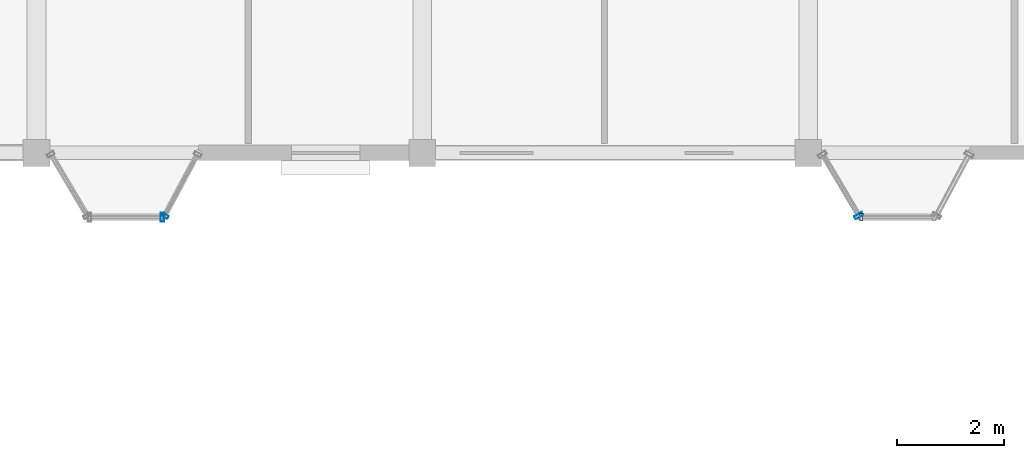
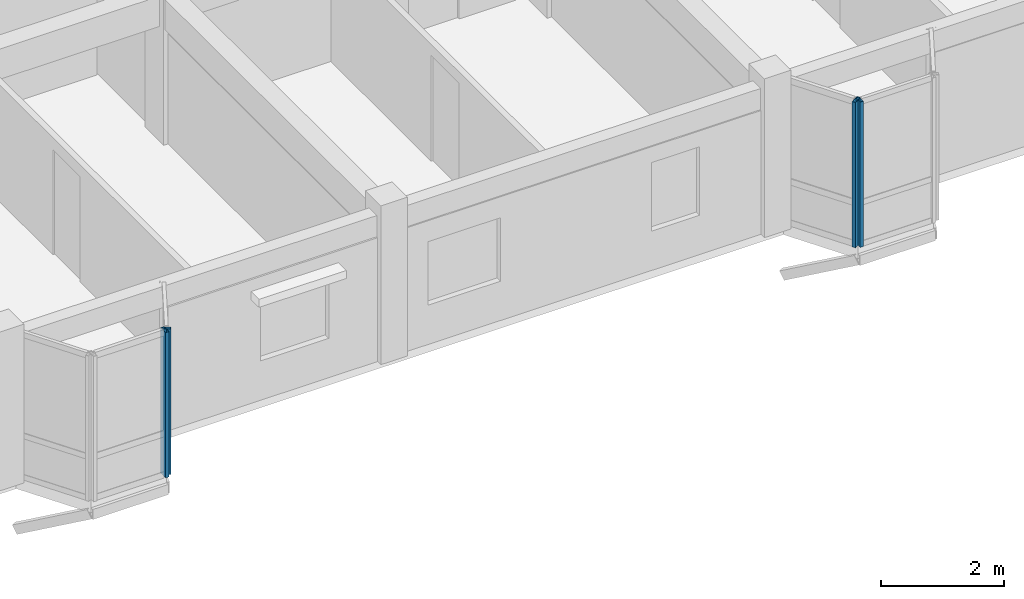
# One storey, part 33 of 70: 4 members, 4 elements without a shape of their own.
"""IFC4 building model written with IfcOpenShell, lengths in metres."""

from ifc_helpers import new_model, si_unit, direction, frame, origin, origin_2d, place, context, subcontext, project, spatial, hollow_rectangle, extrude, material, layer, layer_set, material_profile, profile_set, type_object, element, aggregate, save


model = new_model("IFC4")

# Units and contexts
model_context = context("Model", 3, precision=1e-05, world=origin(), true_north=direction((0.0, 1.0)))
body_context = subcontext(model_context, "Body", "Model", "MODEL_VIEW")
ifc_project = project(units=[si_unit("LENGTHUNIT", "METRE"), si_unit("AREAUNIT", "SQUARE_METRE"), si_unit("VOLUMEUNIT", "CUBIC_METRE"), si_unit("PLANEANGLEUNIT", "RADIAN"), si_unit("MASSUNIT", "GRAM", prefix="KILO"), si_unit("THERMODYNAMICTEMPERATUREUNIT", "KELVIN"), si_unit("POWERUNIT", "WATT")], contexts=[model_context])

# Site, building, storey
site_placement = place(None, origin())
site = spatial("IfcSite", under=ifc_project, at=site_placement, CompositionType="ELEMENT")
building_placement = place(site_placement, origin())
building = spatial("IfcBuilding", under=site, at=building_placement, Name="Tavuni Mirador Residences", CompositionType="ELEMENT")
storey_placement = place(building_placement, frame((0.0, 0.0, 23.39990234375)))
storey = spatial("IfcBuildingStorey", under=building, at=storey_placement, Name="L07", CompositionType="ELEMENT", Elevation=23.39990234375)

# Curtain wall, member
ifc_material = material(Name="Anodised aluminium", Category="aluminium")
ifc_layer_1 = layer(ifc_material, 0.1650390625, Name="Anodised aluminium", Category="aluminium")
ifc_layer_set_1 = layer_set([ifc_layer_1], Name="Anodised aluminium")
curtain_wall_type_1 = type_object("IfcCurtainWallType", Name="CWT-MIR-A", PredefinedType="NOTDEFINED", material=ifc_layer_set_1)
curtain_wall_1_placement = place(storey_placement, origin())
curtain_wall_1 = element("IfcCurtainWall", 1, at=curtain_wall_1_placement, inside=storey, type_object=curtain_wall_type_1, Name="CW-MIR-C-S2-L07-M2", PredefinedType="NOTDEFINED")
ifc_material_profile_1 = material_profile(ifc_material, hollow_rectangle(XDim=0.06005859375, YDim=0.139892578125, WallThickness=0.00390625, at=origin_2d()), Name="ALU 60x140x4.0", Category="aluminium")
ifc_profile_set_1 = profile_set([ifc_material_profile_1], Name="Anodised aluminium")
member_type_1 = type_object("IfcMemberType", Name="CWM-140", PredefinedType="MULLION", material=ifc_profile_set_1)
member_1_placement = place(storey_placement, frame((34.794189453125, 142.826416015625, 0.0), z_axis=(0.0, 0.0, 1.0), x_axis=(0.470588235296, 0.882352941175, 0.0)))
member_1 = element("IfcMember", 2, at=member_1_placement, type_object=member_type_1, Name="CW-01 mullion 1", PredefinedType="MULLION", context=body_context, shape_type="SweptSolid", body=[
    extrude(hollow_rectangle(XDim=0.06005859375, YDim=0.139892578125, WallThickness=0.00390625, at=origin_2d()), origin(), (0.0, 0.0, 1.0), 2.885009765625),
])
aggregate(curtain_wall_1, [member_1])

ifc_layer_2 = layer(ifc_material, 0.175048828125, Name="Anodised aluminium", Category="aluminium")
ifc_layer_set_2 = layer_set([ifc_layer_2], Name="Anodised aluminium")
curtain_wall_type_2 = type_object("IfcCurtainWallType", Name="CWT-MIR-C", PredefinedType="NOTDEFINED", material=ifc_layer_set_2)
curtain_wall_2_placement = place(storey_placement, origin())
curtain_wall_2 = element("IfcCurtainWall", 3, at=curtain_wall_2_placement, inside=storey, type_object=curtain_wall_type_2, Name="CW-MIR-C-S3-L07-MF", PredefinedType="NOTDEFINED")
member_2_placement = place(storey_placement, frame((47.7900390625, 142.800048828125, 0.0), z_axis=(0.0, 0.0, 1.0), x_axis=(1.0, 0.0, 0.0)))
member_2 = element("IfcMember", 4, at=member_2_placement, type_object=member_type_1, Name="CW-03 mullion 1", PredefinedType="MULLION", context=body_context, shape_type="SweptSolid", body=[
    extrude(hollow_rectangle(XDim=0.06005859375, YDim=0.139892578125, WallThickness=0.00390625, at=origin_2d()), origin(), (0.0, 0.0, 1.0), 2.885009765625),
])
aggregate(curtain_wall_2, [member_2])

ifc_layer_3 = layer(ifc_material, 0.159912109375, Name="Anodised aluminium", Category="aluminium")
ifc_layer_set_3 = layer_set([ifc_layer_3], Name="Anodised aluminium")
curtain_wall_type_3 = type_object("IfcCurtainWallType", Name="CWT-MIR-D", PredefinedType="NOTDEFINED", material=ifc_layer_set_3)
curtain_wall_3_placement = place(storey_placement, origin())
curtain_wall_3 = element("IfcCurtainWall", 5, at=curtain_wall_3_placement, inside=storey, type_object=curtain_wall_type_3, Name="CW-MIR-C-S2-L07-MF", PredefinedType="NOTDEFINED")
ifc_material_profile_2 = material_profile(ifc_material, hollow_rectangle(XDim=0.06494140625, YDim=0.1650390625, WallThickness=0.00439453125, at=origin_2d()), Name="ALU 65x165x4.5", Category="aluminium")
ifc_profile_set_2 = profile_set([ifc_material_profile_2], Name="Anodised aluminium")
member_type_2 = type_object("IfcMemberType", Name="CWM-165", PredefinedType="MULLION", material=ifc_profile_set_2)
member_3_placement = place(storey_placement, frame((34.74755859375, 142.800048828125, 0.0), z_axis=(0.0, 0.0, 1.0), x_axis=(1.0, 0.0, 0.0)))
member_3 = element("IfcMember", 6, at=member_3_placement, type_object=member_type_2, Name="CW-04 mullion 2", PredefinedType="MULLION", context=body_context, shape_type="SweptSolid", body=[
    extrude(hollow_rectangle(XDim=0.06494140625, YDim=0.1650390625, WallThickness=0.00439453125, at=origin_2d()), origin(), (0.0, 0.0, 1.0), 2.885009765625),
])
aggregate(curtain_wall_3, [member_3])

ifc_layer_4 = layer(ifc_material, 0.14990234375, Name="Anodised aluminium", Category="aluminium")
ifc_layer_set_4 = layer_set([ifc_layer_4], Name="Anodised aluminium")
curtain_wall_type_4 = type_object("IfcCurtainWallType", Name="CWT-MIR-B", PredefinedType="NOTDEFINED", material=ifc_layer_set_4)
curtain_wall_4_placement = place(storey_placement, origin())
curtain_wall_4 = element("IfcCurtainWall", 7, at=curtain_wall_4_placement, inside=storey, type_object=curtain_wall_type_4, Name="CW-MIR-C-S3-L07-M1", PredefinedType="NOTDEFINED")
member_4_placement = place(storey_placement, frame((47.743408203125, 142.827880859375, 0.0), z_axis=(0.0, 0.0, 1.0), x_axis=(0.509212491254, -0.860640830284, 0.0)))
member_4 = element("IfcMember", 8, at=member_4_placement, type_object=member_type_2, Name="CW-02 mullion 2", PredefinedType="MULLION", context=body_context, shape_type="SweptSolid", body=[
    extrude(hollow_rectangle(XDim=0.06494140625, YDim=0.1650390625, WallThickness=0.00439453125, at=origin_2d()), origin(), (0.0, 0.0, 1.0), 2.885009765625),
])
aggregate(curtain_wall_4, [member_4])

save(model, "model.ifc")
